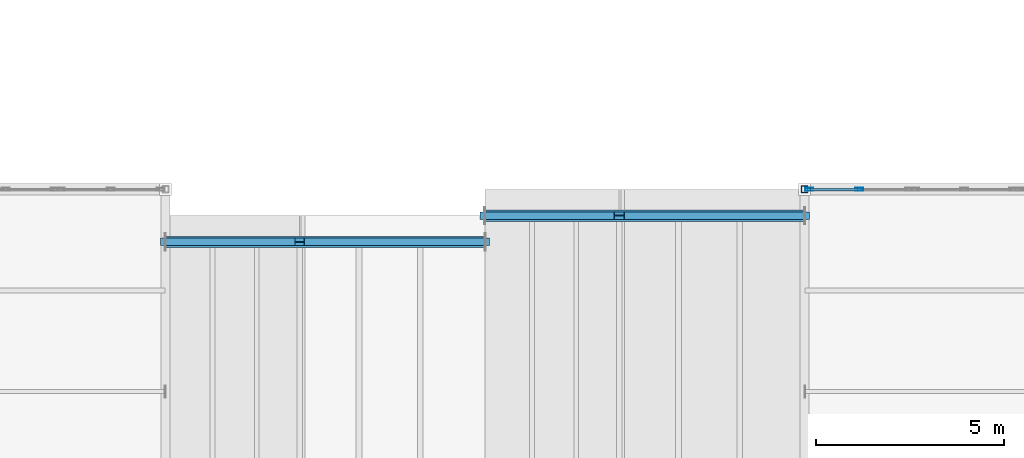
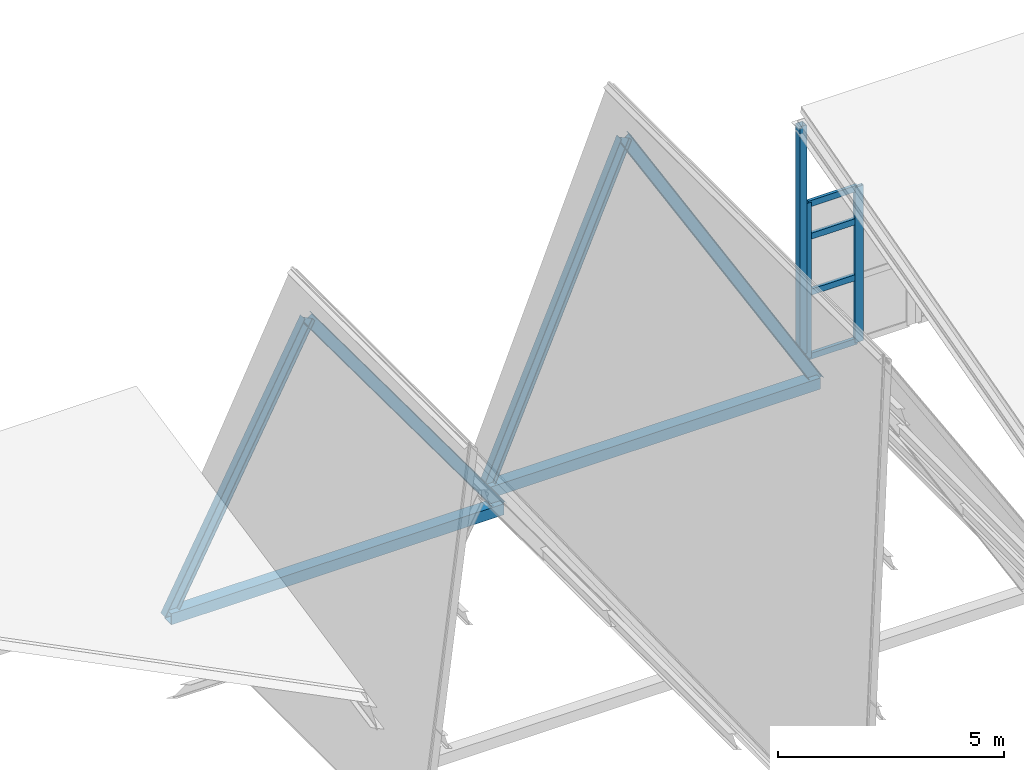
# One storey, part 23 of 77: 13 members, 1 element without a shape of its own.
"""IFC4 building model written with IfcOpenShell, lengths in metres."""

import ifcopenshell
import ifcopenshell.guid

model = None  # the IFC model being written
_history = None  # IfcOwnerHistory: only IFC2X3 demands one
_inside = {}  # id of a spatial element -> (the spatial element, [elements in it])
_under = {}  # id of a project, library or spatial element -> (it, [spatial elements below it])
_declared = {}  # id of a project -> (the project, [libraries it declares])
_typed = {}  # id of a type object -> (the type object, [elements of that type])
_made_of = {}  # id of a material, layer set ... -> (it, [elements and type objects made of it])


def new_model(schema):
    """Start an empty IFC model of exactly this schema.

    Asked for "IFC4X3", IfcOpenShell would pick the latest addendum, in which some entities
    have other attributes; the version numbers below select the first issue.
    IFC2X3 requires an IfcOwnerHistory on every rooted entity: one is made here for all.
    """
    global model, _history
    if schema == "IFC4X3":
        model = ifcopenshell.file(schema_version=(4, 3, 0, 0))
    else:
        model = ifcopenshell.file(schema=schema)
    _inside.clear()
    _under.clear()
    _declared.clear()
    _typed.clear()
    _made_of.clear()
    _history = None
    if model.schema == "IFC2X3":
        org = make("IfcOrganization", Name="unknown")
        user = make(
            "IfcPersonAndOrganization",
            ThePerson=make("IfcPerson", FamilyName="unknown"),
            TheOrganization=org,
        )
        app = make(
            "IfcApplication",
            ApplicationDeveloper=org,
            Version="unknown",
            ApplicationFullName="unknown",
            ApplicationIdentifier="unknown",
        )
        _history = make(
            "IfcOwnerHistory",
            OwningUser=user,
            OwningApplication=app,
            ChangeAction="ADDED",
            CreationDate=0,
        )
    return model


def make(cls, **values):
    """One entity of the class cls with the attributes given. An attribute that is None is left unset."""
    return model.create_entity(
        cls, **{name: value for name, value in values.items() if value is not None}
    )


def rooted(cls, **values):
    """An entity with a GlobalId (a new one), such as an element, a storey or a relation."""
    return make(cls, GlobalId=ifcopenshell.guid.new(), OwnerHistory=_history, **values)


def si_unit(unit_type, name, prefix=None):
    """IfcSIUnit, for example si_unit("LENGTHUNIT", "METRE", prefix="MILLI")."""
    return make("IfcSIUnit", UnitType=unit_type, Prefix=prefix, Name=name)


def assignment(units):
    """IfcUnitAssignment: the units of a project."""
    return None if units is None else make("IfcUnitAssignment", Units=units)


def point(xyz):
    """IfcCartesianPoint."""
    return None if xyz is None else make("IfcCartesianPoint", Coordinates=xyz)


def direction(xyz):
    """IfcDirection."""
    return None if xyz is None else make("IfcDirection", DirectionRatios=xyz)


def frame(location, z_axis=None, x_axis=None):
    """IfcAxis2Placement3D, a coordinate frame: its origin and axes. An axis left out is left unset."""
    return make(
        "IfcAxis2Placement3D",
        Location=point(location),
        Axis=direction(z_axis),
        RefDirection=direction(x_axis),
    )


def frame_2d(location, x_axis=None):
    """IfcAxis2Placement2D, a coordinate frame in the plane: its origin and x axis."""
    return make(
        "IfcAxis2Placement2D", Location=point(location), RefDirection=direction(x_axis)
    )


def origin():
    """The frame at (0, 0, 0) with its axes left unset."""
    return frame((0.0, 0.0, 0.0))


def origin_2d():
    """The frame at (0, 0) in the plane with its x axis left unset."""
    return frame_2d((0.0, 0.0))


def place(relative_to, where):
    """IfcLocalPlacement: puts the frame where relative to a parent placement (None: the world)."""
    return make(
        "IfcLocalPlacement", PlacementRelTo=relative_to, RelativePlacement=where
    )


def context(
    kind, dimensions, precision=None, world=None, true_north=None, identifier=None
):
    """IfcGeometricRepresentationContext, for example the 3D "Model" context."""
    return make(
        "IfcGeometricRepresentationContext",
        ContextIdentifier=identifier,
        ContextType=kind,
        CoordinateSpaceDimension=dimensions,
        Precision=precision,
        WorldCoordinateSystem=world,
        TrueNorth=true_north,
    )


def subcontext(parent, identifier, kind, view, scale=None):
    """IfcGeometricRepresentationSubContext, for example "Body" below "Model"."""
    return make(
        "IfcGeometricRepresentationSubContext",
        ContextIdentifier=identifier,
        ContextType=kind,
        ParentContext=parent,
        TargetScale=scale,
        TargetView=view,
    )


def project(units=None, contexts=None):
    """IfcProject with its units and contexts."""
    return rooted(
        "IfcProject",
        Name="project",
        RepresentationContexts=contexts,
        UnitsInContext=assignment(units),
    )


def spatial(cls, under=None, at=None, **own):
    """A site, building, storey or space (cls), placed at a placement, below another one or the project."""
    s = rooted(cls, ObjectPlacement=at, **own)
    if under is not None:
        _under.setdefault(under.id(), (under, []))[1].append(s)
    return s


def profile(cls, at=None, kind="AREA", **sizes):
    """A parametric profile (cls). Its sizes go by their IFC names, for example OverallWidth=200.0."""
    return make(cls, ProfileType=kind, Position=at, **sizes)


def hollow_rectangle(**sizes):
    """IfcRectangleHollowProfileDef."""
    return profile("IfcRectangleHollowProfileDef", **sizes)


def i_section(**sizes):
    """IfcIShapeProfileDef."""
    return profile("IfcIShapeProfileDef", **sizes)


def extrude(swept, where, along, depth):
    """IfcExtrudedAreaSolid: the profile swept, set in the frame where, extruded along a direction by depth."""
    return make(
        "IfcExtrudedAreaSolid",
        SweptArea=swept,
        Position=where,
        ExtrudedDirection=direction(along),
        Depth=depth,
    )


def shape(context_of_items, identifier, shape_type, items):
    """IfcShapeRepresentation: the items that make up one representation, for example the "Body"."""
    return make(
        "IfcShapeRepresentation",
        ContextOfItems=context_of_items,
        RepresentationIdentifier=identifier,
        RepresentationType=shape_type,
        Items=items,
    )


def material(Name=None, Category=None):
    """IfcMaterial."""
    return make("IfcMaterial", Name=Name, Category=Category)


def material_profile(
    of_material, cross_section, Name=None, Category=None, Priority=None
):
    """IfcMaterialProfile: a cross section and its material."""
    return make(
        "IfcMaterialProfile",
        Name=Name,
        Material=of_material,
        Profile=cross_section,
        Priority=Priority,
        Category=Category,
    )


def profile_set(profiles, Name=None, composite=None):
    """IfcMaterialProfileSet."""
    return make(
        "IfcMaterialProfileSet",
        Name=Name,
        MaterialProfiles=profiles,
        CompositeProfile=composite,
    )


def made_of(thing, what):
    """Note that an element or type object is made of a material, layer set ...; save() writes the relation."""
    if what is not None:
        _made_of.setdefault(what.id(), (what, []))[1].append(thing)
    return thing


def type_object(cls, material=None, **own):
    """A type object (cls), such as IfcWallType, which elements share."""
    return made_of(rooted(cls, **own), material)


def element(
    cls,
    number,
    at=None,
    inside=None,
    cuts=None,
    type_object=None,
    material=None,
    context=None,
    identifier="Body",
    shape_type=None,
    held_by="IfcProductDefinitionShape",
    body=None,
    shapes=None,
    **own,
):
    """One element of the class cls, such as IfcWall. Its Tag is "e" and its number.

    at: its placement. inside: the storey or other place that contains it. cuts: it is an
    opening in that element (IfcRelVoidsElement). A single representation is given by context,
    identifier, shape_type and body (its items); several are given by shapes. held_by: the class
    of the entity that holds the representations. save() writes the other relations.
    """
    e = rooted(cls, Tag="e%d" % number, ObjectPlacement=at, **own)
    if body is not None:
        shapes = [shape(context, identifier, shape_type, body)]
    if shapes is not None:
        e.Representation = make(held_by, Representations=shapes)
    if inside is not None:
        _inside.setdefault(inside.id(), (inside, []))[1].append(e)
    if cuts is not None:
        rooted(
            "IfcRelVoidsElement", RelatingBuildingElement=cuts, RelatedOpeningElement=e
        )
    if type_object is not None:
        _typed.setdefault(type_object.id(), (type_object, []))[1].append(e)
    return made_of(e, material)


def aggregate(whole, parts):
    """IfcRelAggregates: a whole, such as a stair, and the parts it consists of."""
    return rooted("IfcRelAggregates", RelatingObject=whole, RelatedObjects=parts)


def save(model, path):
    """Write the relations noted so far, then the file.

    IfcRelAggregates (storeys below a building ...), IfcRelContainedInSpatialStructure (elements
    in a storey), IfcRelDefinesByType, IfcRelAssociatesMaterial and IfcRelDeclares: one each for
    every whole, place, type object, material and project.
    """
    for whole, parts in _under.values():
        aggregate(whole, parts)
    for where, things in _inside.values():
        rooted(
            "IfcRelContainedInSpatialStructure",
            RelatedElements=things,
            RelatingStructure=where,
        )
    for kind, things in _typed.values():
        rooted("IfcRelDefinesByType", RelatedObjects=things, RelatingType=kind)
    for what, things in _made_of.values():
        rooted("IfcRelAssociatesMaterial", RelatedObjects=things, RelatingMaterial=what)
    for by, libraries in _declared.values():
        rooted("IfcRelDeclares", RelatingContext=by, RelatedDefinitions=libraries)
    model.write(path)


model = new_model("IFC4")

# Units and contexts
model_context = context("Model", 3, precision=1e-05, world=origin(), true_north=direction((0.0, 1.0)))
body_context = subcontext(model_context, "Body", "Model", "MODEL_VIEW")
ifc_project = project(units=[si_unit("LENGTHUNIT", "METRE"), si_unit("AREAUNIT", "SQUARE_METRE"), si_unit("VOLUMEUNIT", "CUBIC_METRE"), si_unit("PLANEANGLEUNIT", "RADIAN"), si_unit("MASSUNIT", "GRAM", prefix="KILO"), si_unit("THERMODYNAMICTEMPERATUREUNIT", "KELVIN"), si_unit("POWERUNIT", "WATT")], contexts=[model_context])

# Site, building, storey
site_placement = place(None, origin())
site = spatial("IfcSite", under=ifc_project, at=site_placement, CompositionType="ELEMENT")
building_placement = place(site_placement, origin())
building = spatial("IfcBuilding", under=site, at=building_placement, Name="Zhenchuan Central Fire Station", CompositionType="ELEMENT")
storey_placement = place(building_placement, frame((0.0, 0.0, 10.050048828125)))
storey = spatial("IfcBuildingStorey", under=building, at=storey_placement, Name="L03", CompositionType="ELEMENT", Elevation=10.050048828125)

# Curtain wall, members
ifc_material_1 = material(Name="Anodised aluminium and low-E glazing", Category="aluminium")
curtain_wall_type = type_object("IfcCurtainWallType", Name="CW-MOD-17", PredefinedType="USERDEFINED", material=ifc_material_1)
curtain_wall_placement = place(storey_placement, origin())
curtain_wall = element("IfcCurtainWall", 1, at=curtain_wall_placement, inside=storey, type_object=curtain_wall_type, Name="L03 Unitised Curtain Wall 007", ObjectType="UNITISED GLAZING", PredefinedType="USERDEFINED")
ifc_material_2 = material(Name="Anodised aluminium EN AW-6063", Category="aluminium")
ifc_material_profile_1 = material_profile(ifc_material_2, hollow_rectangle(XDim=0.080078125, YDim=0.219970703125, WallThickness=0.005615234375, at=origin_2d()), Name="ALU-M 220x80")
ifc_profile_set_1 = profile_set([ifc_material_profile_1], Name="Anodised aluminium EN AW-6063")
member_type_1 = type_object("IfcMemberType", Name="CW-MUL200", PredefinedType="MULLION", material=ifc_profile_set_1)
member_1_placement = place(storey_placement, frame((98.62548828125, 35.5, -0.2041015625), z_axis=(0.0, 0.0, 1.0), x_axis=(0.0, 1.0, 0.0)))
member_1 = element("IfcMember", 2, at=member_1_placement, type_object=member_type_1, Name="CW-17 mullion 1", PredefinedType="MULLION", context=body_context, shape_type="SweptSolid", body=[
    extrude(hollow_rectangle(XDim=0.080078125, YDim=0.219970703125, WallThickness=0.005615234375, at=origin_2d()), origin(), (0.0, 0.0, 1.0), 4.2041015625),
])
member_2_placement = place(storey_placement, frame((99.956298828125, 35.5, -0.2041015625), z_axis=(0.0, 0.0, 1.0), x_axis=(0.0, 1.0, 0.0)))
member_2 = element("IfcMember", 3, at=member_2_placement, type_object=member_type_1, Name="CW-17 mullion 2", PredefinedType="MULLION", context=body_context, shape_type="SweptSolid", body=[
    extrude(hollow_rectangle(XDim=0.080078125, YDim=0.219970703125, WallThickness=0.005615234375, at=origin_2d()), origin(), (0.0, 0.0, 1.0), 4.2041015625),
])
ifc_material_profile_2 = material_profile(ifc_material_2, hollow_rectangle(XDim=0.080078125, YDim=0.1650390625, WallThickness=0.0048828125, at=origin_2d()), Name="ALU-T 165x80")
ifc_profile_set_2 = profile_set([ifc_material_profile_2], Name="Anodised aluminium EN AW-6063")
member_type_2 = type_object("IfcMemberType", Name="CW-TRN150", PredefinedType="NOTDEFINED", material=ifc_profile_set_2)
member_3_placement = place(storey_placement, frame((98.6630859375, 35.5, -0.16650390625), z_axis=(1.0, 0.0, 0.0), x_axis=(0.0, 1.0, 0.0)))
member_3 = element("IfcMember", 4, at=member_3_placement, type_object=member_type_2, Name="CW-17 transom 1.1", ObjectType="TRANSOM", PredefinedType="USERDEFINED", context=body_context, shape_type="SweptSolid", body=[
    extrude(hollow_rectangle(XDim=0.080078125, YDim=0.1650390625, WallThickness=0.0048828125, at=origin_2d()), origin(), (0.0, 0.0, 1.0), 1.255859375),
])
member_4_placement = place(storey_placement, frame((98.6630859375, 35.5, 1.56396484375), z_axis=(1.0, 0.0, 0.0), x_axis=(0.0, 1.0, 0.0)))
member_4 = element("IfcMember", 5, at=member_4_placement, type_object=member_type_2, Name="CW-17 transom 1.2", ObjectType="TRANSOM", PredefinedType="USERDEFINED", context=body_context, shape_type="SweptSolid", body=[
    extrude(hollow_rectangle(XDim=0.080078125, YDim=0.1650390625, WallThickness=0.0048828125, at=origin_2d()), origin(), (0.0, 0.0, 1.0), 1.255859375),
])
member_5_placement = place(storey_placement, frame((98.6630859375, 35.5, 3.075927734375), z_axis=(1.0, 0.0, 0.0), x_axis=(0.0, 1.0, 0.0)))
member_5 = element("IfcMember", 6, at=member_5_placement, type_object=member_type_2, Name="CW-17 transom 1.3", ObjectType="TRANSOM", PredefinedType="USERDEFINED", context=body_context, shape_type="SweptSolid", body=[
    extrude(hollow_rectangle(XDim=0.080078125, YDim=0.1650390625, WallThickness=0.0048828125, at=origin_2d()), origin(), (0.0, 0.0, 1.0), 1.255859375),
])
member_6_placement = place(storey_placement, frame((98.6630859375, 35.5, 3.96240234375), z_axis=(1.0, 0.0, 0.0), x_axis=(0.0, 1.0, 0.0)))
member_6 = element("IfcMember", 7, at=member_6_placement, type_object=member_type_2, Name="CW-17 transom 1.4", ObjectType="TRANSOM", PredefinedType="USERDEFINED", context=body_context, shape_type="SweptSolid", body=[
    extrude(hollow_rectangle(XDim=0.080078125, YDim=0.1650390625, WallThickness=0.0048828125, at=origin_2d()), origin(), (0.0, 0.0, 1.0), 1.255859375),
])
aggregate(curtain_wall, [member_1, member_2, member_3, member_4, member_5, member_6])

# Members
ifc_material_3 = material(Name="Steel Q355B", Category="steel")
ifc_material_profile_3 = material_profile(ifc_material_3, hollow_rectangle(XDim=0.300048828125, YDim=0.300048828125, WallThickness=0.011962890625, at=origin_2d()), Name="SHS 300x300x12")
ifc_profile_set_3 = profile_set([ifc_material_profile_3], Name="Steel Q355B")
member_type_3 = type_object("IfcMemberType", Name="MB-PS-HW250", PredefinedType="POST", material=ifc_profile_set_3)
for number, where, z_axis, x_axis, name in (
    (8, (81.5, 34.10009765625, -0.330078125), (1.0, 0.0, 0.0), (0.0, 1.0, 0.0), "Pavilion H04 Gable Bottom Chord 4"),
    (9, (90.0, 34.800048828125, -0.330078125), (1.0, 0.0, 0.0), (0.0, 1.0, 0.0), "Pavilion H05 Gable Bottom Chord 4"),
):
    element("IfcMember", number, at=place(storey_placement, frame(where, z_axis=z_axis, x_axis=x_axis)), inside=storey, type_object=member_type_3, Name=name, PredefinedType="CHORD", context=body_context, shape_type="SweptSolid", body=[
        extrude(hollow_rectangle(XDim=0.300048828125, YDim=0.300048828125, WallThickness=0.011962890625, at=origin_2d()), origin(), (0.0, 0.0, 1.0), 8.5),
    ])
ifc_material_profile_4 = material_profile(ifc_material_3, hollow_rectangle(XDim=0.179931640625, YDim=0.179931640625, WallThickness=0.010009765625, at=origin_2d()), Name="SHS 180x180x10")
ifc_profile_set_4 = profile_set([ifc_material_profile_4], Name="Steel Q355B")
member_type_4 = type_object("IfcMemberType", Name="MB-PS-SHS180", PredefinedType="POST", material=ifc_profile_set_4)
member_7_placement = place(storey_placement, frame((98.5, 35.5, 0.0), z_axis=(0.0, 0.0, 1.0), x_axis=(1.0, 0.0, 0.0)))
element("IfcMember", 10, at=member_7_placement, inside=storey, type_object=member_type_4, Name="Pavilion H06 North-Light Truss Post 1", PredefinedType="POST", context=body_context, shape_type="SweptSolid", body=[
    extrude(hollow_rectangle(XDim=0.179931640625, YDim=0.179931640625, WallThickness=0.010009765625, at=origin_2d()), origin(), (0.0, 0.0, 1.0), 6.1689453125),
])
ifc_material_profile_5 = material_profile(ifc_material_3, i_section(OverallWidth=0.199951171875, OverallDepth=0.2939453125, WebThickness=0.008056640625, FlangeThickness=0.011962890625, FilletRadius=0.01611328125, at=origin_2d()), Name="HM 294x200")
ifc_profile_set_5 = profile_set([ifc_material_profile_5], Name="Steel Q355B")
member_type_5 = type_object("IfcMemberType", Name="MB-RF-HM294", PredefinedType="RAFTER", material=ifc_profile_set_5)
member_8_placement = place(storey_placement, frame((81.5, 34.10009765625, -0.330078125), z_axis=(0.464093563947, 0.0, 0.885786184078), x_axis=(0.0, 1.0, 0.0)))
element("IfcMember", 11, at=member_8_placement, inside=storey, type_object=member_type_5, Name="Pavilion H04 West Gable Rafter 4", PredefinedType="RAFTER", context=body_context, shape_type="SweptSolid", body=[
    extrude(i_section(OverallWidth=0.199951171875, OverallDepth=0.2939453125, WebThickness=0.008056640625, FlangeThickness=0.011962890625, FilletRadius=0.01611328125, at=origin_2d()), origin(), (0.0, 0.0, 1.0), 7.692626953125),
])
member_9_placement = place(storey_placement, frame((85.070068359375, 34.10009765625, 6.48388671875), z_axis=(0.586172899265, 0.0, -0.810185986158), x_axis=(0.0, 1.0, 0.0)))
element("IfcMember", 12, at=member_9_placement, inside=storey, type_object=member_type_5, Name="Pavilion H04 East Gable Rafter 4", PredefinedType="RAFTER", context=body_context, shape_type="SweptSolid", body=[
    extrude(i_section(OverallWidth=0.199951171875, OverallDepth=0.2939453125, WebThickness=0.008056640625, FlangeThickness=0.011962890625, FilletRadius=0.01611328125, at=origin_2d()), origin(), (0.0, 0.0, 1.0), 8.410400390625),
])
member_10_placement = place(storey_placement, frame((90.0, 34.800048828125, -0.330078125), z_axis=(0.395734514872, 0.0, 0.918364956724), x_axis=(0.0, 1.0, 0.0)))
element("IfcMember", 13, at=member_10_placement, inside=storey, type_object=member_type_5, Name="Pavilion H05 West Gable Rafter 4", PredefinedType="RAFTER", context=body_context, shape_type="SweptSolid", body=[
    extrude(i_section(OverallWidth=0.199951171875, OverallDepth=0.2939453125, WebThickness=0.008056640625, FlangeThickness=0.011962890625, FilletRadius=0.01611328125, at=origin_2d()), origin(), (0.0, 0.0, 1.0), 9.021484375),
])
member_11_placement = place(storey_placement, frame((93.570068359375, 34.800048828125, 7.954833984375), z_axis=(0.511364093968, 0.0, -0.859364162274), x_axis=(0.0, 1.0, 0.0)))
element("IfcMember", 14, at=member_11_placement, inside=storey, type_object=member_type_5, Name="Pavilion H05 East Gable Rafter 4", PredefinedType="RAFTER", context=body_context, shape_type="SweptSolid", body=[
    extrude(i_section(OverallWidth=0.199951171875, OverallDepth=0.2939453125, WebThickness=0.008056640625, FlangeThickness=0.011962890625, FilletRadius=0.01611328125, at=origin_2d()), origin(), (0.0, 0.0, 1.0), 9.640625),
])

save(model, "model.ifc")
